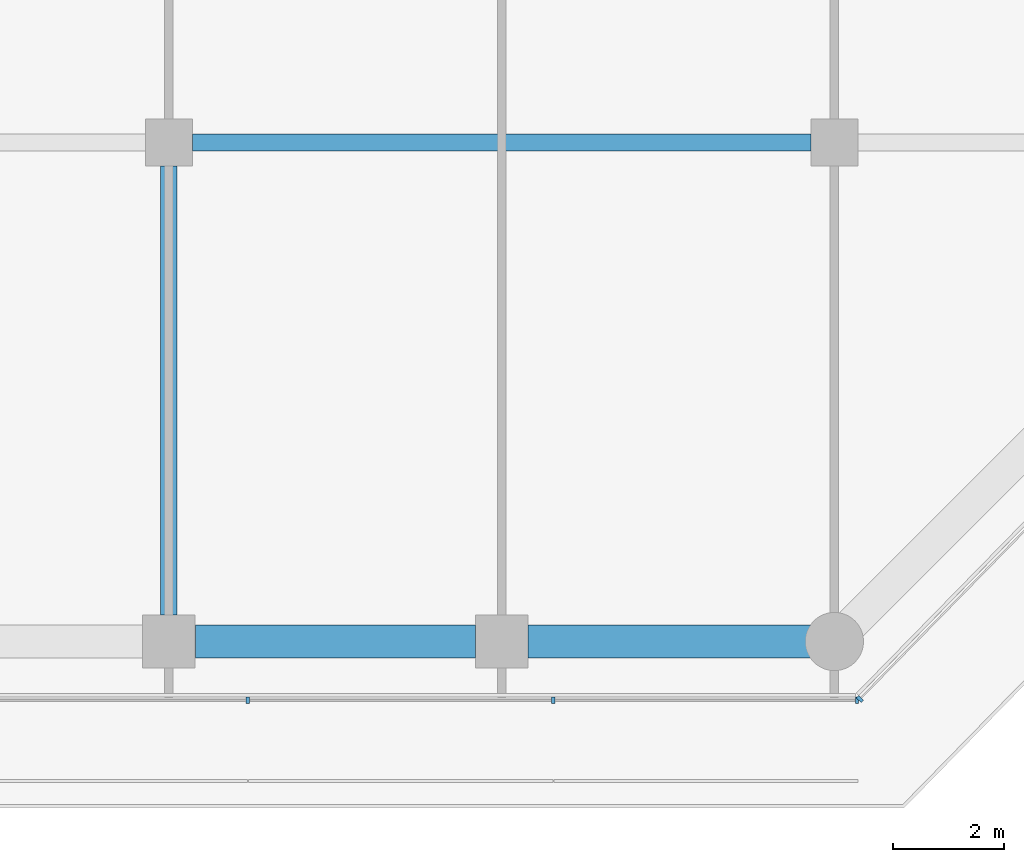
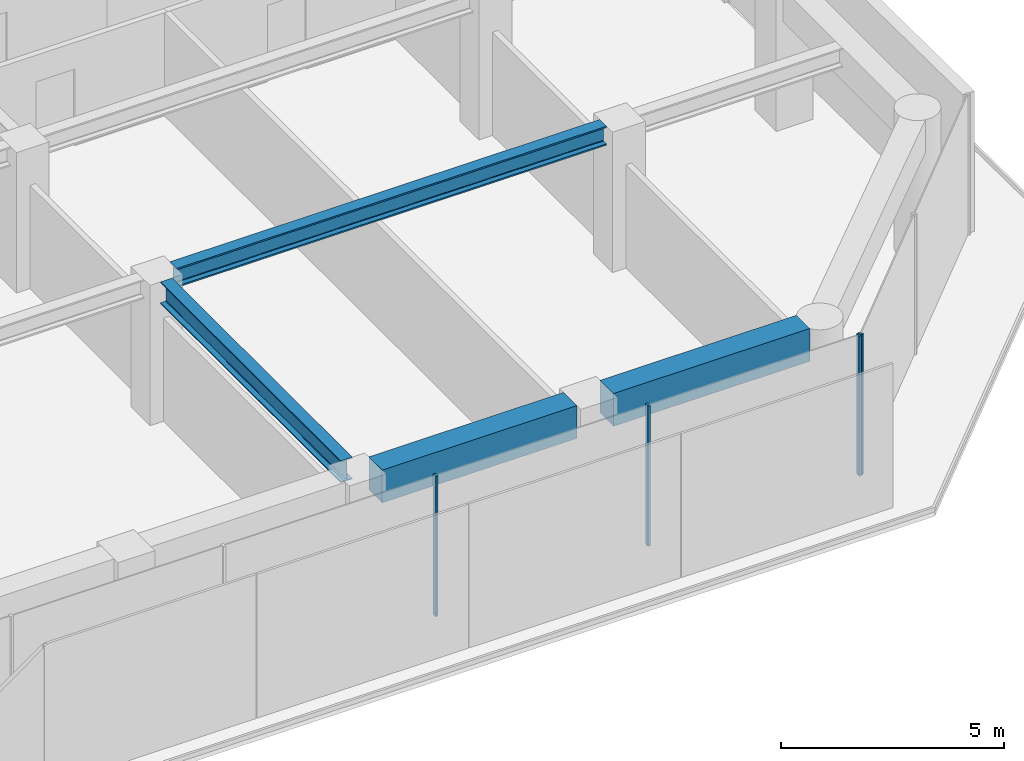
# One storey, part 8 of 28: 4 beams, 4 members, 2 elements without a shape of their own.
"""IFC4 building model written with IfcOpenShell, lengths in metres."""

from ifc_helpers import new_model, si_unit, direction, frame, origin, origin_2d, place, context, subcontext, project, spatial, rectangle, i_section, extrude, material, layer, layer_set, material_profile, profile_set, type_object, element, aggregate, save


model = new_model("IFC4")

# Units and contexts
model_context = context("Model", 3, precision=1e-05, world=origin(), true_north=direction((0.0, 1.0)))
body_context = subcontext(model_context, "Body", "Model", "MODEL_VIEW")
ifc_project = project(units=[si_unit("LENGTHUNIT", "METRE"), si_unit("AREAUNIT", "SQUARE_METRE"), si_unit("VOLUMEUNIT", "CUBIC_METRE"), si_unit("PLANEANGLEUNIT", "RADIAN"), si_unit("MASSUNIT", "GRAM", prefix="KILO")], contexts=[model_context])

# Site, building, storey
site_placement = place(None, origin())
site = spatial("IfcSite", under=ifc_project, at=site_placement, CompositionType="ELEMENT")
building_placement = place(site_placement, origin())
building = spatial("IfcBuilding", under=site, at=building_placement, Name="Welwitschia Terrace Campus", CompositionType="ELEMENT")
storey_placement = place(building_placement, frame((0.0, 0.0, 54.199951171875)))
storey = spatial("IfcBuildingStorey", under=building, at=storey_placement, Name="L12", CompositionType="ELEMENT", Elevation=54.199951171875)

# Beam
ifc_material_1 = material(Name="Steel S355", Category="steel")
ifc_material_profile_1 = material_profile(ifc_material_1, i_section(OverallWidth=0.305908203125, OverallDepth=0.52392578125, WebThickness=0.02099609375, FlangeThickness=0.0400390625, FilletRadius=0.027099609375, at=origin_2d()))
ifc_profile_set_1 = profile_set([ifc_material_profile_1], Name="Steel S355")
beam_type_1 = type_object("IfcBeamType", Name="Interior girder HE 500 M", PredefinedType="BEAM", material=ifc_profile_set_1)
beam_1_placement = place(storey_placement, frame((48.425537109375, 5.0, 3.588134765625), z_axis=(1.0, 0.0, 0.0), x_axis=(0.0, 1.0, 0.0)))
element("IfcBeam", 1, at=beam_1_placement, inside=storey, type_object=beam_type_1, Name="Girder GB2", PredefinedType="BEAM", context=body_context, shape_type="SweptSolid", body=[
    extrude(i_section(OverallWidth=0.305908203125, OverallDepth=0.52392578125, WebThickness=0.02099609375, FlangeThickness=0.0400390625, FilletRadius=0.027099609375, at=origin_2d()), origin(), (0.0, 0.0, 1.0), 11.14892578125),
])

# Curtain wall, members
ifc_material_2 = material(Name="Bronze anodised aluminium", Category="aluminium")
ifc_layer = layer(ifc_material_2, 0.1201171875)
ifc_layer_set = layer_set([ifc_layer], Name="Bronze anodised aluminium")
curtain_wall_type = type_object("IfcCurtainWallType", Name="Curtain wall CW2 tower 6000", PredefinedType="NOTDEFINED", material=ifc_layer_set)
curtain_wall_1_placement = place(storey_placement, origin())
curtain_wall_1 = element("IfcCurtainWall", 2, at=curtain_wall_1_placement, inside=storey, type_object=curtain_wall_type, Name="CW L12.4.0", PredefinedType="NOTDEFINED")
ifc_material_3 = material(Name="Bronze anodised aluminium", Category="aluminium")
ifc_material_profile_2 = material_profile(ifc_material_3, rectangle(XDim=0.1201171875, YDim=0.06005859375, at=origin_2d()))
ifc_profile_set_2 = profile_set([ifc_material_profile_2], Name="Bronze anodised aluminium")
member_type = type_object("IfcMemberType", Name="Mullion 60x120", PredefinedType="MULLION", material=ifc_profile_set_2)
member_1_placement = place(storey_placement, frame((49.424560546875, -5.05810546875, 0.0), z_axis=(0.0, 0.0, 1.0), x_axis=(0.0, 1.0, 0.0)))
member_1 = element("IfcMember", 3, at=member_1_placement, type_object=member_type, Name="Mullion L12.4.0.4", PredefinedType="MULLION", context=body_context, shape_type="SweptSolid", body=[
    extrude(rectangle(XDim=0.1201171875, YDim=0.06005859375, at=origin_2d()), origin(), (0.0, 0.0, 1.0), 3.85009765625),
])
member_2_placement = place(storey_placement, frame((54.931640625, -5.05810546875, 0.0), z_axis=(0.0, 0.0, 1.0), x_axis=(0.0, 1.0, 0.0)))
member_2 = element("IfcMember", 4, at=member_2_placement, type_object=member_type, Name="Mullion L12.4.0.5", PredefinedType="MULLION", context=body_context, shape_type="SweptSolid", body=[
    extrude(rectangle(XDim=0.1201171875, YDim=0.06005859375, at=origin_2d()), origin(), (0.0, 0.0, 1.0), 3.85009765625),
])
member_3_placement = place(storey_placement, frame((60.40869140625, -5.05810546875, 0.0), z_axis=(0.0, 0.0, 1.0), x_axis=(0.0, 1.0, 0.0)))
member_3 = element("IfcMember", 5, at=member_3_placement, type_object=member_type, Name="Mullion L12.4.0.6", PredefinedType="MULLION", context=body_context, shape_type="SweptSolid", body=[
    extrude(rectangle(XDim=0.1201171875, YDim=0.06005859375, at=origin_2d()), origin(), (0.0, 0.0, 1.0), 3.85009765625),
])
aggregate(curtain_wall_1, [member_1, member_2, member_3])

# Curtain wall, member
curtain_wall_2_placement = place(storey_placement, origin())
curtain_wall_2 = element("IfcCurtainWall", 6, at=curtain_wall_2_placement, inside=storey, type_object=curtain_wall_type, Name="CW L12.5.0", PredefinedType="NOTDEFINED")
member_4_placement = place(storey_placement, frame((60.45947265625, -5.03662109375, 0.0), z_axis=(0.0, 0.0, 1.0), x_axis=(-0.714848648986, 0.699279206786, 0.0)))
member_4 = element("IfcMember", 7, at=member_4_placement, type_object=member_type, Name="Mullion L12.5.0.0", PredefinedType="MULLION", context=body_context, shape_type="SweptSolid", body=[
    extrude(rectangle(XDim=0.1201171875, YDim=0.06005859375, at=origin_2d()), origin(), (0.0, 0.0, 1.0), 3.85009765625),
])
aggregate(curtain_wall_2, [member_4])

# Beams
ifc_material_4 = material(Name="Steel S355", Category="steel")
ifc_material_profile_3 = material_profile(ifc_material_4, i_section(OverallWidth=0.300048828125, OverallDepth=0.60009765625, WebThickness=0.015380859375, FlangeThickness=0.030029296875, FilletRadius=0.027099609375, at=origin_2d()))
ifc_profile_set_3 = profile_set([ifc_material_profile_3], Name="Steel S355")
beam_type_2 = type_object("IfcBeamType", Name="Primary beam HE 600 B", PredefinedType="BEAM", material=ifc_profile_set_3)
beam_2_placement = place(storey_placement, frame((48.0, -3.5244140625, 3.550048828125), z_axis=(0.0, 1.0, 0.0), x_axis=(-1.0, 0.0, 0.0)))
element("IfcBeam", 8, at=beam_2_placement, inside=storey, type_object=beam_type_2, Name="Primary beam PB2", PredefinedType="BEAM", context=body_context, shape_type="SweptSolid", body=[
    extrude(i_section(OverallWidth=0.300048828125, OverallDepth=0.60009765625, WebThickness=0.015380859375, FlangeThickness=0.030029296875, FilletRadius=0.027099609375, at=origin_2d()), origin(), (0.0, 0.0, 1.0), 8.098876953125),
])
ifc_material_5 = material(Name="Concrete C60/75", Category="concrete")
ifc_material_profile_4 = material_profile(ifc_material_5, rectangle(XDim=0.60009765625, YDim=0.89990234375, at=origin_2d()))
ifc_profile_set_4 = profile_set([ifc_material_profile_4], Name="Concrete C60/75")
beam_type_3 = type_object("IfcBeamType", Name="Ring spandrel 600x900", PredefinedType="SPANDREL", material=ifc_profile_set_4)
beam_3_placement = place(storey_placement, frame((48.4755859375, -4.0, 3.400146484375), z_axis=(1.0, 0.0, 0.0), x_axis=(0.0, 1.0, 0.0)))
element("IfcBeam", 9, at=beam_3_placement, inside=storey, type_object=beam_type_3, Name="Spandrel SP2", PredefinedType="SPANDREL", context=body_context, shape_type="SweptSolid", body=[
    extrude(rectangle(XDim=0.60009765625, YDim=0.89990234375, at=origin_2d()), origin(), (0.0, 0.0, 1.0), 5.048828125),
])
beam_4_placement = place(storey_placement, frame((54.4755859375, -4.0, 3.400146484375), z_axis=(1.0, 0.0, 0.0), x_axis=(0.0, 1.0, 0.0)))
element("IfcBeam", 10, at=beam_4_placement, inside=storey, type_object=beam_type_3, Name="Spandrel SP2", PredefinedType="SPANDREL", context=body_context, shape_type="SweptSolid", body=[
    extrude(rectangle(XDim=0.60009765625, YDim=0.89990234375, at=origin_2d()), origin(), (0.0, 0.0, 1.0), 5.093017578125),
])

save(model, "model.ifc")
